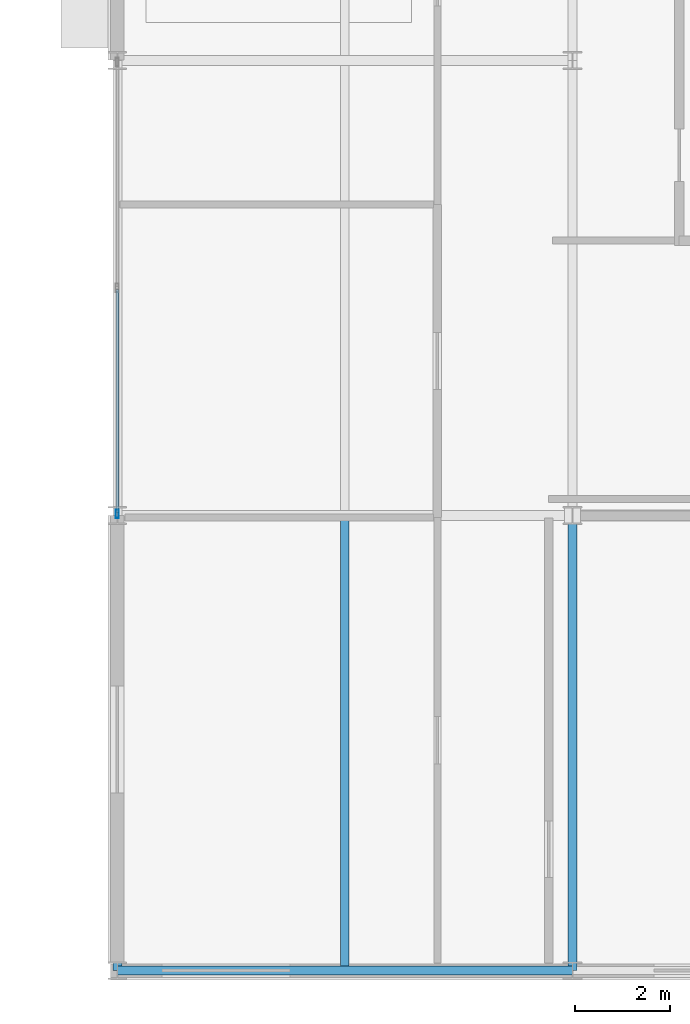
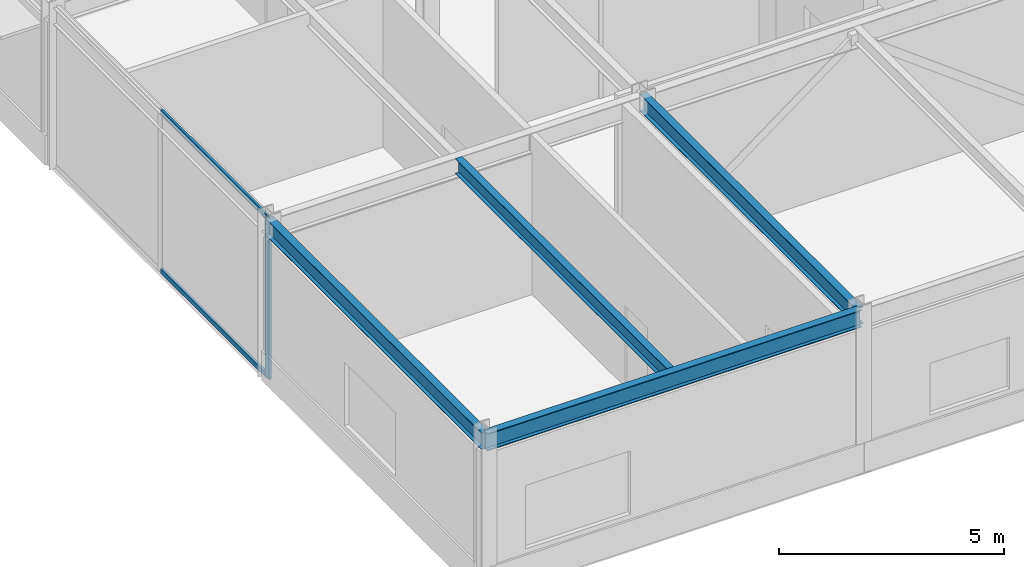
# One storey, part 80 of 133: 4 beams, 3 members, 1 element without a shape of its own.
"""IFC4 building model written with IfcOpenShell, lengths in metres."""

from ifc_helpers import new_model, si_unit, direction, frame, origin, origin_2d, place, context, subcontext, project, spatial, hollow_rectangle, i_section, extrude, material, material_profile, profile_set, type_object, element, aggregate, save


model = new_model("IFC4")

# Units and contexts
model_context = context("Model", 3, precision=1e-05, world=origin(), true_north=direction((0.0, 1.0)))
body_context = subcontext(model_context, "Body", "Model", "MODEL_VIEW")
ifc_project = project(units=[si_unit("LENGTHUNIT", "METRE"), si_unit("AREAUNIT", "SQUARE_METRE"), si_unit("VOLUMEUNIT", "CUBIC_METRE"), si_unit("PLANEANGLEUNIT", "RADIAN"), si_unit("MASSUNIT", "GRAM", prefix="KILO")], contexts=[model_context])

# Site, building, storey
site_placement = place(None, origin())
site = spatial("IfcSite", under=ifc_project, at=site_placement, CompositionType="ELEMENT")
building_placement = place(site_placement, origin())
building = spatial("IfcBuilding", under=site, at=building_placement, Name="Almandine Court Research Institute", CompositionType="ELEMENT")
storey_placement = place(building_placement, frame((0.0, 0.0, 9.800048828125)))
storey = spatial("IfcBuildingStorey", under=building, at=storey_placement, Name="L02", CompositionType="ELEMENT", Elevation=9.800048828125)

# Beams
ifc_material_1 = material(Name="Steel ASTM A992 Grade 50", Category="steel")
ifc_material_profile_1 = material_profile(ifc_material_1, i_section(OverallWidth=0.18994140625, OverallDepth=0.45703125, WebThickness=0.009033203125, FlangeThickness=0.014892578125, at=origin_2d()), Name="W460x74")
ifc_profile_set_1 = profile_set([ifc_material_profile_1], Name="Steel ASTM A992 Grade 50")
beam_type_1 = type_object("IfcBeamType", Name="Beam-B-01", PredefinedType="BEAM", material=ifc_profile_set_1)
for number, where, z_axis, x_axis, name in (
    (1, (153.60009765625, 6.0, 4.140869140625), (0.0, 1.0, 0.0), (-1.0, 0.0, 0.0), "L02 V4 Primary Y Girder"),
    (2, (163.199951171875, 6.0, 4.140869140625), (0.0, 1.0, 0.0), (-1.0, 0.0, 0.0), "L02 V4 Primary Y Girder"),
):
    element("IfcBeam", number, at=place(storey_placement, frame(where, z_axis=z_axis, x_axis=x_axis)), inside=storey, type_object=beam_type_1, Name=name, PredefinedType="BEAM", context=body_context, shape_type="SweptSolid", body=[
        extrude(i_section(OverallWidth=0.18994140625, OverallDepth=0.45703125, WebThickness=0.009033203125, FlangeThickness=0.014892578125, at=origin_2d()), origin(), (0.0, 0.0, 1.0), 9.60009765625),
    ])
ifc_material_profile_2 = material_profile(ifc_material_1, i_section(OverallWidth=0.178955078125, OverallDepth=0.409912109375, WebThickness=0.009033203125, FlangeThickness=0.013916015625, at=origin_2d()), Name="W410x67")
ifc_profile_set_2 = profile_set([ifc_material_profile_2], Name="Steel ASTM A992 Grade 50")
beam_type_2 = type_object("IfcBeamType", Name="Beam-B-02", PredefinedType="JOIST", material=ifc_profile_set_2)
beam_1_placement = place(storey_placement, frame((158.39990234375, 6.094970703125, 4.1650390625), z_axis=(0.0, 1.0, 0.0), x_axis=(-1.0, 0.0, 0.0)))
element("IfcBeam", 3, at=beam_1_placement, inside=storey, type_object=beam_type_2, Name="L02 V4 Composite Secondary Beam", PredefinedType="JOIST", context=body_context, shape_type="SweptSolid", body=[
    extrude(i_section(OverallWidth=0.178955078125, OverallDepth=0.409912109375, WebThickness=0.009033203125, FlangeThickness=0.013916015625, at=origin_2d()), origin(), (0.0, 0.0, 1.0), 9.401123046875),
])
ifc_material_profile_3 = material_profile(ifc_material_1, i_section(OverallWidth=0.193115234375, OverallDepth=0.466064453125, WebThickness=0.010986328125, FlangeThickness=0.01904296875, at=origin_2d()), Name="W460x97")
ifc_profile_set_3 = profile_set([ifc_material_profile_3], Name="Steel ASTM A992 Grade 50")
beam_type_3 = type_object("IfcBeamType", Name="Beam-G-06-E", PredefinedType="SPANDREL", material=ifc_profile_set_3)
beam_2_placement = place(storey_placement, frame((153.60009765625, 6.0, 4.136962890625), z_axis=(1.0, 0.0, 0.0), x_axis=(0.0, 1.0, 0.0)))
element("IfcBeam", 4, at=beam_2_placement, inside=storey, type_object=beam_type_3, Name="L02 V4 Primary X Girder", PredefinedType="SPANDREL", context=body_context, shape_type="SweptSolid", body=[
    extrude(i_section(OverallWidth=0.193115234375, OverallDepth=0.466064453125, WebThickness=0.010986328125, FlangeThickness=0.01904296875, at=origin_2d()), origin(), (0.0, 0.0, 1.0), 9.599853515625),
])

# Curtain wall, members
ifc_material_2 = material(Name="Unitised Curtain Wall Framing and Solar Glazing", Category="glass")
curtain_wall_type = type_object("IfcCurtainWallType", Name="CW-CWJ-02", PredefinedType="USERDEFINED", material=ifc_material_2)
curtain_wall_placement = place(storey_placement, origin())
curtain_wall = element("IfcCurtainWall", 5, at=curtain_wall_placement, inside=storey, type_object=curtain_wall_type, Name="L02 Wet Lab West Courtyard Jali Curtain Wall 2", ObjectType="SOLAR JALI SCREEN", PredefinedType="USERDEFINED")
ifc_material_3 = material(Name="Anodised Aluminium AW-6063-T6", Category="aluminium")
ifc_material_profile_4 = material_profile(ifc_material_3, hollow_rectangle(XDim=0.06494140625, YDim=0.179931640625, WallThickness=0.00390625, at=origin_2d()), Name="ALU RHS 65x180x4")
ifc_profile_set_4 = profile_set([ifc_material_profile_4], Name="Anodised Aluminium AW-6063-T6")
member_type_1 = type_object("IfcMemberType", Name="CWMul-65x180", PredefinedType="MULLION", material=ifc_profile_set_4)
member_1_placement = place(storey_placement, frame((153.60009765625, 15.636474609375, 0.0), z_axis=(0.0, 0.0, 1.0), x_axis=(-1.0, 0.0, 0.0)))
member_1 = element("IfcMember", 6, at=member_1_placement, type_object=member_type_1, Name="CWJ-02 mullion 1", PredefinedType="MULLION", context=body_context, shape_type="SweptSolid", body=[
    extrude(hollow_rectangle(XDim=0.06494140625, YDim=0.179931640625, WallThickness=0.00390625, at=origin_2d()), origin(), (0.0, 0.0, 1.0), 4.369873046875),
])
ifc_material_profile_5 = material_profile(ifc_material_3, hollow_rectangle(XDim=0.06494140625, YDim=0.1298828125, WallThickness=0.00390625, at=origin_2d()), Name="ALU RHS 65x130x4")
ifc_profile_set_5 = profile_set([ifc_material_profile_5], Name="Anodised Aluminium AW-6063-T6")
member_type_2 = type_object("IfcMemberType", Name="CWTrn-65x130", PredefinedType="NOTDEFINED", material=ifc_profile_set_5)
member_2_placement = place(storey_placement, frame((153.60009765625, 15.6689453125, 0.032470703125), z_axis=(0.0, 1.0, 0.0), x_axis=(-1.0, 0.0, 0.0)))
member_2 = element("IfcMember", 7, at=member_2_placement, type_object=member_type_2, Name="CWJ-02 transom 1.1", ObjectType="TRANSOM", PredefinedType="USERDEFINED", context=body_context, shape_type="SweptSolid", body=[
    extrude(hollow_rectangle(XDim=0.06494140625, YDim=0.1298828125, WallThickness=0.00390625, at=origin_2d()), origin(), (0.0, 0.0, 1.0), 4.698486328125),
])
member_3_placement = place(storey_placement, frame((153.60009765625, 15.6689453125, 4.33740234375), z_axis=(0.0, 1.0, 0.0), x_axis=(-1.0, 0.0, 0.0)))
member_3 = element("IfcMember", 8, at=member_3_placement, type_object=member_type_2, Name="CWJ-02 transom 1.2", ObjectType="TRANSOM", PredefinedType="USERDEFINED", context=body_context, shape_type="SweptSolid", body=[
    extrude(hollow_rectangle(XDim=0.06494140625, YDim=0.1298828125, WallThickness=0.00390625, at=origin_2d()), origin(), (0.0, 0.0, 1.0), 4.698486328125),
])
aggregate(curtain_wall, [member_1, member_2, member_3])

save(model, "model.ifc")
